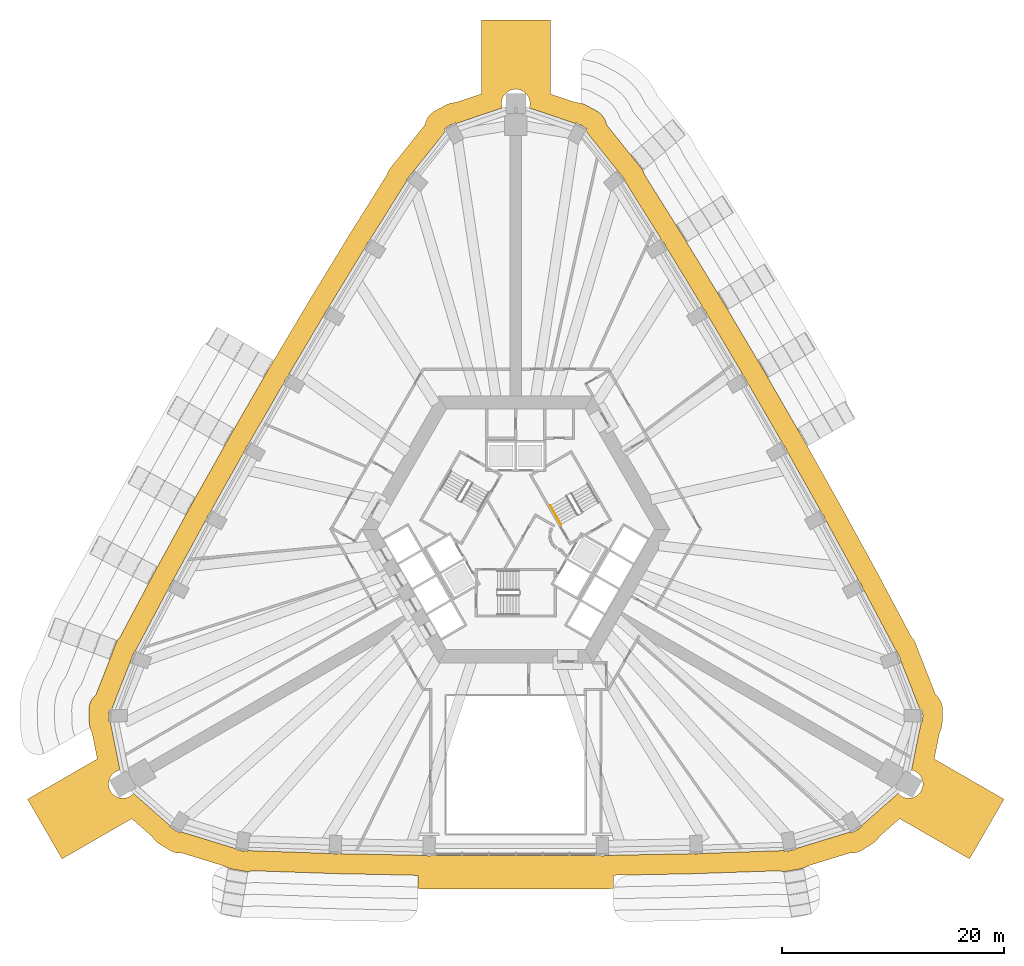
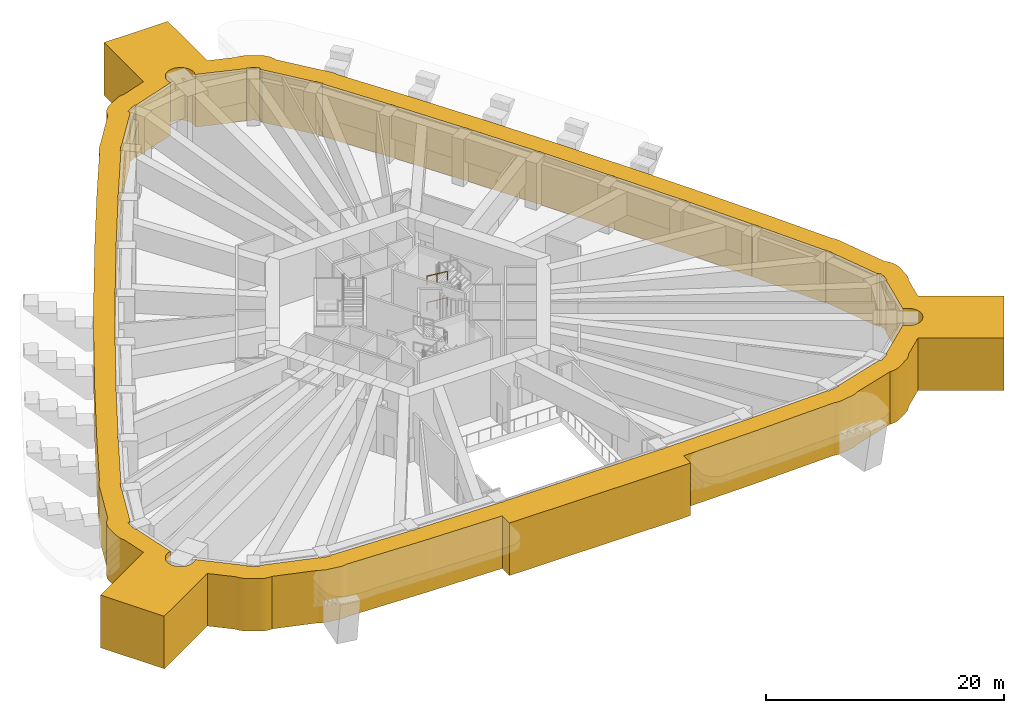
# One storey, part 17 of 20: 2 railings, 1 covering.
"""IFC4 building model written with IfcOpenShell, lengths in metres."""

from ifc_helpers import new_model, si_unit, direction, frame, origin, origin_2d, place, context, subcontext, project, spatial, polyline, circle, outline, extrude, material, type_object, element, save


model = new_model("IFC4")

# Units and contexts
model_context = context("Model", 3, precision=1e-05, world=origin(), true_north=direction((0.0, 1.0)))
body_context = subcontext(model_context, "Body", "Model", "MODEL_VIEW")
ifc_project = project(units=[si_unit("LENGTHUNIT", "METRE"), si_unit("AREAUNIT", "SQUARE_METRE"), si_unit("VOLUMEUNIT", "CUBIC_METRE"), si_unit("PLANEANGLEUNIT", "RADIAN"), si_unit("MASSUNIT", "GRAM", prefix="KILO")], contexts=[model_context])

# Site, building, storey
site_placement = place(None, origin())
site = spatial("IfcSite", under=ifc_project, at=site_placement, CompositionType="ELEMENT")
building_placement = place(site_placement, origin())
building = spatial("IfcBuilding", under=site, at=building_placement, Name="Entoto Arch Interchange Tower", CompositionType="ELEMENT")
storey_placement = place(building_placement, frame((0.0, 0.0, 184.39990234375)))
storey = spatial("IfcBuildingStorey", under=building, at=storey_placement, Name="L41", CompositionType="ELEMENT", Elevation=184.39990234375)

# Covering
ifc_material_1 = material(Name="Board-marked precast concrete C50/60", Category="concrete")
covering_type = type_object("IfcCoveringType", Name="PRECAST FRAME COURSE", PredefinedType="CLADDING", material=ifc_material_1)
covering_placement = place(storey_placement, frame((0.0, 0.0, -0.599853515625)))
element("IfcCovering", 1, at=covering_placement, inside=storey, type_object=covering_type, Name="Zone frame L41", PredefinedType="CLADDING", context=body_context, shape_type="SweptSolid", body=[
    extrude(outline(polyline([(32.669921875, -25.133056640625), (32.662109375, -25.14892578125), (32.56494140625, -25.297119140625), (32.4541015625, -25.43408203125), (32.330078125, -25.56005859375), (32.194091796875, -25.673095703125), (32.048095703125, -25.77197265625), (31.10888671875, -26.344970703125), (30.9541015625, -26.429931640625), (30.791015625, -26.498046875), (30.6220703125, -26.551025390625), (30.448974609375, -26.5869140625), (30.27392578125, -26.60498046875), (30.096923828125, -26.60693359375), (30.010009765625, -26.59912109375), (26.193115234375, -27.77197265625), (26.169921875, -27.7880859375), (26.01611328125, -27.875), (25.85400390625, -27.946044921875), (25.68603515625, -28.0009765625), (25.513916015625, -28.0390625), (24.429931640625, -28.22412109375), (24.25390625, -28.2451171875), (24.077880859375, -28.2490234375), (23.90087890625, -28.235107421875), (23.72802734375, -28.205078125), (23.681884765625, -28.19189453125), (16.8720703125, -28.426025390625), (16.841064453125, -28.428955078125), (16.291015625, -28.446044921875), (15.740966796875, -28.464111328125), (15.718994140625, -28.464111328125), (8.800048828125, -28.597900390625), (8.800048828125, -29.798095703125), (8.493896484375, -29.803955078125), (8.385009765625, -29.81005859375), (7.8349609375, -29.81689453125), (7.284912109375, -29.822998046875), (7.2490234375, -29.822998046875), (-7.118896484375, -29.81689453125), (-7.284912109375, -29.822998046875), (-7.8349609375, -29.81689453125), (-8.385009765625, -29.81005859375), (-8.412109375, -29.81005859375), (-8.800048828125, -29.802001953125), (-8.800048828125, -28.60205078125), (-15.576904296875, -28.4609375), (-15.740966796875, -28.464111328125), (-16.291015625, -28.446044921875), (-16.841064453125, -28.428955078125), (-16.845947265625, -28.427978515625), (-23.68310546875, -28.19189453125), (-23.72802734375, -28.205078125), (-23.90087890625, -28.235107421875), (-24.077880859375, -28.2490234375), (-24.25390625, -28.2451171875), (-24.429931640625, -28.22412109375), (-25.513916015625, -28.0390625), (-25.68603515625, -28.0009765625), (-25.85400390625, -27.946044921875), (-26.01611328125, -27.875), (-26.169921875, -27.7880859375), (-26.193115234375, -27.77197265625), (-30.010009765625, -26.59912109375), (-30.096923828125, -26.60693359375), (-30.27392578125, -26.60498046875), (-30.448974609375, -26.5869140625), (-30.6220703125, -26.551025390625), (-30.791015625, -26.498046875), (-30.9541015625, -26.429931640625), (-31.10888671875, -26.344970703125), (-32.048095703125, -25.77197265625), (-32.194091796875, -25.673095703125), (-32.330078125, -25.56005859375), (-32.4541015625, -25.43408203125), (-32.56494140625, -25.297119140625), (-32.662109375, -25.14892578125), (-32.669921875, -25.133056640625), (-34.51611328125, -23.506103515625), (-40.7900390625, -27.12890625), (-43.889892578125, -21.759033203125), (-37.615966796875, -18.136962890625), (-38.10107421875, -15.72607421875), (-38.110107421875, -15.7109375), (-38.18994140625, -15.553955078125), (-38.2529296875, -15.388916015625), (-38.300048828125, -15.218017578125), (-38.330078125, -15.0439453125), (-38.343017578125, -14.867919921875), (-38.3701171875, -13.76904296875), (-38.364990234375, -13.592041015625), (-38.343994140625, -13.4169921875), (-38.304931640625, -13.243896484375), (-38.2490234375, -13.076904296875), (-38.177978515625, -12.9150390625), (-38.091064453125, -12.761962890625), (-37.989013671875, -12.616943359375), (-37.873046875, -12.48291015625), (-37.7451171875, -12.362060546875), (-37.738037109375, -12.35595703125), (-36.153076171875, -8.31298828125), (-35.968994140625, -7.81298828125), (-35.89990234375, -7.65087890625), (-35.81494140625, -7.49609375), (-35.715087890625, -7.35009765625), (-35.60205078125, -7.215087890625), (-35.570068359375, -7.18310546875), (-32.89892578125, -2.152099609375), (-32.89306640625, -2.138916015625), (-32.376953125, -1.16796875), (-32.365966796875, -1.14892578125), (-29.511962890625, 4.06591796875), (-29.49609375, 4.097900390625), (-28.966064453125, 5.06103515625), (-28.9580078125, 5.075927734375), (-26.054931640625, 10.237060546875), (-26.027099609375, 10.2919921875), (-25.48291015625, 11.248046875), (-25.47705078125, 11.260009765625), (-22.52392578125, 16.367919921875), (-22.48291015625, 16.445068359375), (-21.926025390625, 17.39404296875), (-21.9208984375, 17.403076171875), (-18.923095703125, 22.451904296875), (-18.866943359375, 22.555908203125), (-18.297119140625, 23.4970703125), (-18.2939453125, 23.501953125), (-15.25, 28.492919921875), (-15.177001953125, 28.6240234375), (-14.594970703125, 29.556884765625), (-14.593017578125, 29.55908203125), (-11.56298828125, 34.39697265625), (-11.552001953125, 34.43896484375), (-11.490966796875, 34.60498046875), (-11.4150390625, 34.763916015625), (-11.322998046875, 34.9150390625), (-11.217041015625, 35.055908203125), (-10.876953125, 35.466064453125), (-8.16796875, 38.85888671875), (-8.1669921875, 38.868896484375), (-8.1259765625, 39.0400390625), (-8.068115234375, 39.20703125), (-7.993896484375, 39.366943359375), (-7.904052734375, 39.52001953125), (-7.800048828125, 39.662109375), (-7.68310546875, 39.7939453125), (-7.552978515625, 39.9140625), (-7.412109375, 40.02099609375), (-7.260986328125, 40.113037109375), (-6.294921875, 40.639892578125), (-6.135986328125, 40.716064453125), (-5.970947265625, 40.777099609375), (-5.800048828125, 40.822021484375), (-5.625, 40.84912109375), (-5.448974609375, 40.85888671875), (-5.430908203125, 40.85888671875), (-3.10009765625, 41.64404296875), (-3.10009765625, 48.2890625), (3.10009765625, 48.2890625), (3.10009765625, 41.64404296875), (5.430908203125, 40.85888671875), (5.448974609375, 40.85888671875), (5.625, 40.84912109375), (5.800048828125, 40.822021484375), (5.970947265625, 40.777099609375), (6.135986328125, 40.716064453125), (6.294921875, 40.639892578125), (7.260986328125, 40.113037109375), (7.412109375, 40.02099609375), (7.552978515625, 39.9140625), (7.68310546875, 39.7939453125), (7.800048828125, 39.662109375), (7.904052734375, 39.52001953125), (7.993896484375, 39.366943359375), (8.068115234375, 39.20703125), (8.1259765625, 39.0400390625), (8.1669921875, 38.868896484375), (8.16796875, 38.85888671875), (10.876953125, 35.466064453125), (11.217041015625, 35.055908203125), (11.322998046875, 34.9150390625), (11.4150390625, 34.763916015625), (11.490966796875, 34.60498046875), (11.552001953125, 34.43896484375), (11.56298828125, 34.39599609375), (14.5849609375, 29.571044921875), (14.594970703125, 29.556884765625), (15.177001953125, 28.6240234375), (15.18798828125, 28.60595703125), (18.277099609375, 23.52587890625), (18.297119140625, 23.4970703125), (18.866943359375, 22.555908203125), (18.8759765625, 22.541015625), (21.89306640625, 17.445068359375), (21.926025390625, 17.39404296875), (22.48291015625, 16.445068359375), (22.489990234375, 16.43408203125), (25.43603515625, 11.322021484375), (25.48291015625, 11.248046875), (26.027099609375, 10.2919921875), (26.031982421875, 10.282958984375), (28.905029296875, 5.159912109375), (28.966064453125, 5.06103515625), (29.49609375, 4.097900390625), (29.4990234375, 4.092041015625), (32.299072265625, -1.0390625), (32.376953125, -1.16796875), (32.89306640625, -2.138916015625), (32.89501953125, -2.14111328125), (35.570068359375, -7.18310546875), (35.60205078125, -7.215087890625), (35.715087890625, -7.35009765625), (35.81494140625, -7.49609375), (35.89990234375, -7.65087890625), (35.968994140625, -7.81298828125), (36.153076171875, -8.31298828125), (37.738037109375, -12.35595703125), (37.7451171875, -12.362060546875), (37.873046875, -12.48291015625), (37.989013671875, -12.616943359375), (38.091064453125, -12.761962890625), (38.177978515625, -12.9150390625), (38.2490234375, -13.076904296875), (38.304931640625, -13.243896484375), (38.343994140625, -13.4169921875), (38.364990234375, -13.592041015625), (38.3701171875, -13.76904296875), (38.343017578125, -14.867919921875), (38.330078125, -15.0439453125), (38.300048828125, -15.218017578125), (38.2529296875, -15.388916015625), (38.18994140625, -15.553955078125), (38.110107421875, -15.7109375), (38.10107421875, -15.72607421875), (37.615966796875, -18.136962890625), (43.889892578125, -21.759033203125), (40.7900390625, -27.12890625), (34.51611328125, -23.506103515625), (32.669921875, -25.133056640625)]), holes=[polyline([(36.447021484375, -14.822998046875), (36.5439453125, -14.824951171875), (36.551025390625, -14.527099609375), (36.552001953125, -14.52392578125), (36.573974609375, -14.43505859375), (36.587890625, -14.344970703125), (36.592041015625, -14.2529296875), (36.587890625, -14.160888671875), (36.573974609375, -14.071044921875), (36.56298828125, -14.02587890625), (36.570068359375, -13.72509765625), (36.426025390625, -13.721923828125), (36.3798828125, -13.659912109375), (36.318115234375, -13.592041015625), (36.27294921875, -13.551025390625), (34.55810546875, -9.174072265625), (34.55810546875, -9.173095703125), (34.5439453125, -9.0830078125), (34.52197265625, -8.993896484375), (34.490966796875, -8.906982421875), (34.451904296875, -8.823974609375), (34.404052734375, -8.74609375), (34.384033203125, -8.718017578125), (34.280029296875, -8.43701171875), (34.2109375, -8.462890625), (31.303955078125, -2.985107421875), (31.303955078125, -2.985107421875), (31.1650390625, -2.721923828125), (31.14697265625, -2.65087890625), (31.115966796875, -2.56396484375), (31.076904296875, -2.48095703125), (31.029052734375, -2.403076171875), (30.97509765625, -2.3291015625), (30.927978515625, -2.277099609375), (30.7880859375, -2.012939453125), (30.781982421875, -2.01611328125), (27.91796875, 3.22900390625), (27.9189453125, 3.22998046875), (27.77294921875, 3.4951171875), (27.760009765625, 3.549072265625), (27.72900390625, 3.635986328125), (27.68994140625, 3.718994140625), (27.64208984375, 3.797119140625), (27.587890625, 3.87109375), (27.532958984375, 3.930908203125), (27.388916015625, 4.194091796875), (27.385009765625, 4.19189453125), (24.458984375, 9.40087890625), (24.4619140625, 9.403076171875), (24.31201171875, 9.666015625), (24.302001953125, 9.70703125), (24.27099609375, 9.7939453125), (24.23193359375, 9.876953125), (24.18408203125, 9.955078125), (24.1298828125, 10.029052734375), (24.068115234375, 10.096923828125), (24.06591796875, 10.09912109375), (23.91796875, 10.35888671875), (23.9150390625, 10.35693359375), (20.927001953125, 15.532958984375), (20.929931640625, 15.534912109375), (20.779052734375, 15.7919921875), (20.77099609375, 15.824951171875), (20.739990234375, 15.912109375), (20.700927734375, 15.9951171875), (20.653076171875, 16.072998046875), (20.59912109375, 16.14697265625), (20.537109375, 16.215087890625), (20.52392578125, 16.22705078125), (20.3740234375, 16.48291015625), (20.37109375, 16.48193359375), (17.322998046875, 21.62109375), (17.326904296875, 21.623046875), (17.172119140625, 21.8798828125), (17.1669921875, 21.89892578125), (17.135986328125, 21.986083984375), (17.096923828125, 22.069091796875), (17.049072265625, 22.14697265625), (16.9951171875, 22.220947265625), (16.93310546875, 22.2890625), (16.9130859375, 22.30810546875), (16.757080078125, 22.56494140625), (16.756103515625, 22.56396484375), (13.64501953125, 27.6669921875), (13.64990234375, 27.669921875), (13.492919921875, 27.922119140625), (13.490966796875, 27.930908203125), (13.4599609375, 28.01806640625), (13.4208984375, 28.10107421875), (13.373046875, 28.178955078125), (13.319091796875, 28.2529296875), (13.257080078125, 28.321044921875), (13.22705078125, 28.34912109375), (13.068115234375, 28.60400390625), (13.06689453125, 28.60302734375), (9.77587890625, 33.85888671875), (9.83203125, 33.906005859375), (9.64208984375, 34.135986328125), (9.614013671875, 34.195068359375), (9.56591796875, 34.27294921875), (9.511962890625, 34.346923828125), (9.449951171875, 34.4150390625), (9.382080078125, 34.47705078125), (9.3349609375, 34.511962890625), (6.402099609375, 38.18701171875), (6.402099609375, 38.18798828125), (6.3798828125, 38.277099609375), (6.34912109375, 38.364013671875), (6.3291015625, 38.405029296875), (6.39892578125, 38.532958984375), (6.136962890625, 38.675048828125), (6.077880859375, 38.72900390625), (6.00390625, 38.782958984375), (5.926025390625, 38.8310546875), (5.843017578125, 38.8701171875), (5.756103515625, 38.90087890625), (5.696044921875, 38.916015625), (5.43310546875, 39.05908203125), (5.386962890625, 38.97412109375), (1.2099609375, 40.381103515625), (1.222900390625, 40.41796875), (1.2529296875, 40.5400390625), (1.27197265625, 40.6640625), (1.278076171875, 40.7890625), (1.27197265625, 40.9140625), (1.2529296875, 41.0380859375), (1.222900390625, 41.159912109375), (1.180908203125, 41.278076171875), (1.126953125, 41.39111328125), (1.06201171875, 41.4990234375), (0.988037109375, 41.60009765625), (0.904052734375, 41.693115234375), (0.81103515625, 41.777099609375), (0.7099609375, 41.85107421875), (0.60205078125, 41.916015625), (0.489013671875, 41.969970703125), (0.37109375, 42.011962890625), (0.2490234375, 42.0419921875), (0.125, 42.06103515625), (0.0, 42.06689453125), (-0.125, 42.06103515625), (-0.2490234375, 42.0419921875), (-0.37109375, 42.011962890625), (-0.489013671875, 41.969970703125), (-0.60205078125, 41.916015625), (-0.7099609375, 41.85107421875), (-0.81103515625, 41.777099609375), (-0.904052734375, 41.693115234375), (-0.988037109375, 41.60009765625), (-1.06201171875, 41.4990234375), (-1.126953125, 41.39111328125), (-1.180908203125, 41.278076171875), (-1.222900390625, 41.159912109375), (-1.2529296875, 41.0380859375), (-1.27197265625, 40.9140625), (-1.278076171875, 40.7890625), (-1.27197265625, 40.6640625), (-1.2529296875, 40.5400390625), (-1.222900390625, 40.41796875), (-1.2099609375, 40.381103515625), (-5.386962890625, 38.97412109375), (-5.43310546875, 39.05908203125), (-5.696044921875, 38.916015625), (-5.756103515625, 38.90087890625), (-5.843017578125, 38.8701171875), (-5.926025390625, 38.8310546875), (-6.00390625, 38.782958984375), (-6.077880859375, 38.72900390625), (-6.136962890625, 38.675048828125), (-6.39892578125, 38.532958984375), (-6.3291015625, 38.405029296875), (-6.34912109375, 38.364013671875), (-6.3798828125, 38.277099609375), (-6.402099609375, 38.18798828125), (-6.402099609375, 38.18701171875), (-9.3349609375, 34.511962890625), (-9.382080078125, 34.47705078125), (-9.449951171875, 34.4150390625), (-9.511962890625, 34.346923828125), (-9.56591796875, 34.27294921875), (-9.614013671875, 34.195068359375), (-9.64208984375, 34.135986328125), (-9.83203125, 33.906005859375), (-9.77587890625, 33.85888671875), (-13.06689453125, 28.60302734375), (-13.068115234375, 28.60400390625), (-13.22705078125, 28.34912109375), (-13.257080078125, 28.321044921875), (-13.319091796875, 28.2529296875), (-13.373046875, 28.178955078125), (-13.4208984375, 28.10107421875), (-13.4599609375, 28.01806640625), (-13.490966796875, 27.930908203125), (-13.492919921875, 27.922119140625), (-13.64990234375, 27.669921875), (-13.64501953125, 27.6669921875), (-16.756103515625, 22.56396484375), (-16.757080078125, 22.56494140625), (-16.9130859375, 22.30810546875), (-16.93310546875, 22.2890625), (-16.9951171875, 22.220947265625), (-17.049072265625, 22.14697265625), (-17.096923828125, 22.069091796875), (-17.135986328125, 21.986083984375), (-17.1669921875, 21.89892578125), (-17.172119140625, 21.8798828125), (-17.326904296875, 21.623046875), (-17.322998046875, 21.62109375), (-20.37109375, 16.48193359375), (-20.3740234375, 16.48291015625), (-20.52392578125, 16.22705078125), (-20.537109375, 16.215087890625), (-20.59912109375, 16.14697265625), (-20.653076171875, 16.072998046875), (-20.700927734375, 15.9951171875), (-20.739990234375, 15.912109375), (-20.77099609375, 15.824951171875), (-20.779052734375, 15.7919921875), (-20.929931640625, 15.534912109375), (-20.927001953125, 15.532958984375), (-23.9150390625, 10.35693359375), (-23.91796875, 10.35888671875), (-24.06591796875, 10.09912109375), (-24.068115234375, 10.096923828125), (-24.1298828125, 10.029052734375), (-24.18408203125, 9.955078125), (-24.23193359375, 9.876953125), (-24.27099609375, 9.7939453125), (-24.302001953125, 9.70703125), (-24.31201171875, 9.666015625), (-24.4619140625, 9.403076171875), (-24.458984375, 9.40087890625), (-27.385009765625, 4.19189453125), (-27.388916015625, 4.194091796875), (-27.532958984375, 3.930908203125), (-27.587890625, 3.87109375), (-27.64208984375, 3.797119140625), (-27.68994140625, 3.718994140625), (-27.72900390625, 3.635986328125), (-27.760009765625, 3.549072265625), (-27.77294921875, 3.4951171875), (-27.9189453125, 3.22998046875), (-27.91796875, 3.22900390625), (-30.781982421875, -2.01611328125), (-30.7880859375, -2.012939453125), (-30.927978515625, -2.277099609375), (-30.97509765625, -2.3291015625), (-31.029052734375, -2.403076171875), (-31.076904296875, -2.48095703125), (-31.115966796875, -2.56396484375), (-31.14697265625, -2.65087890625), (-31.1650390625, -2.721923828125), (-31.303955078125, -2.985107421875), (-31.303955078125, -2.985107421875), (-34.2109375, -8.462890625), (-34.280029296875, -8.43701171875), (-34.384033203125, -8.718017578125), (-34.404052734375, -8.74609375), (-34.451904296875, -8.823974609375), (-34.490966796875, -8.906982421875), (-34.52197265625, -8.993896484375), (-34.5439453125, -9.0830078125), (-34.55810546875, -9.173095703125), (-34.55810546875, -9.174072265625), (-36.27294921875, -13.551025390625), (-36.318115234375, -13.592041015625), (-36.3798828125, -13.659912109375), (-36.426025390625, -13.721923828125), (-36.570068359375, -13.72509765625), (-36.56298828125, -14.02587890625), (-36.573974609375, -14.071044921875), (-36.587890625, -14.160888671875), (-36.592041015625, -14.2529296875), (-36.587890625, -14.344970703125), (-36.573974609375, -14.43505859375), (-36.552001953125, -14.52392578125), (-36.551025390625, -14.527099609375), (-36.5439453125, -14.824951171875), (-36.447021484375, -14.822998046875), (-35.576904296875, -19.14111328125), (-35.696044921875, -19.1708984375), (-35.81396484375, -19.212890625), (-35.927001953125, -19.26708984375), (-36.034912109375, -19.33203125), (-36.135986328125, -19.406005859375), (-36.22900390625, -19.489990234375), (-36.31298828125, -19.5830078125), (-36.386962890625, -19.68408203125), (-36.451904296875, -19.7919921875), (-36.506103515625, -19.905029296875), (-36.548095703125, -20.02294921875), (-36.577880859375, -20.14501953125), (-36.596923828125, -20.26904296875), (-36.60302734375, -20.39404296875), (-36.596923828125, -20.51904296875), (-36.577880859375, -20.64306640625), (-36.548095703125, -20.764892578125), (-36.506103515625, -20.883056640625), (-36.451904296875, -20.99609375), (-36.386962890625, -21.10400390625), (-36.31298828125, -21.205078125), (-36.22900390625, -21.298095703125), (-36.135986328125, -21.382080078125), (-36.034912109375, -21.4560546875), (-35.927001953125, -21.52099609375), (-35.81396484375, -21.574951171875), (-35.696044921875, -21.616943359375), (-35.573974609375, -21.64697265625), (-35.449951171875, -21.666015625), (-35.324951171875, -21.672119140625), (-35.199951171875, -21.666015625), (-35.075927734375, -21.64697265625), (-34.9541015625, -21.616943359375), (-34.8359375, -21.574951171875), (-34.722900390625, -21.52099609375), (-34.614990234375, -21.4560546875), (-34.513916015625, -21.382080078125), (-34.4208984375, -21.298095703125), (-34.366943359375, -21.238037109375), (-31.06005859375, -24.153076171875), (-31.111083984375, -24.236083984375), (-30.85400390625, -24.39208984375), (-30.8330078125, -24.4150390625), (-30.764892578125, -24.47705078125), (-30.69091796875, -24.531005859375), (-30.613037109375, -24.5791015625), (-30.530029296875, -24.617919921875), (-30.443115234375, -24.64892578125), (-30.426025390625, -24.653076171875), (-30.1708984375, -24.80810546875), (-30.097900390625, -24.68896484375), (-25.198974609375, -26.194091796875), (-25.2109375, -26.263916015625), (-24.916015625, -26.31494140625), (-24.8759765625, -26.333984375), (-24.7890625, -26.364990234375), (-24.699951171875, -26.386962890625), (-24.610107421875, -26.40087890625), (-24.51806640625, -26.405029296875), (-24.426025390625, -26.40087890625), (-24.419921875, -26.39990234375), (-24.126953125, -26.449951171875), (-24.114013671875, -26.3759765625), (-16.783935546875, -26.6279296875), (-16.783935546875, -26.6298828125), (-16.48388671875, -26.638916015625), (-16.47607421875, -26.64208984375), (-16.386962890625, -26.6640625), (-16.297119140625, -26.677978515625), (-16.205078125, -26.681884765625), (-16.113037109375, -26.677978515625), (-16.02294921875, -26.6640625), (-15.986083984375, -26.655029296875), (-15.68408203125, -26.6640625), (-15.68408203125, -26.657958984375), (-8.35009765625, -26.805908203125), (-8.35009765625, -26.81103515625), (-8.051025390625, -26.81396484375), (-7.970947265625, -26.833984375), (-7.881103515625, -26.847900390625), (-7.7890625, -26.85205078125), (-7.697021484375, -26.847900390625), (-7.60693359375, -26.833984375), (-7.550048828125, -26.820068359375), (-7.25, -26.822998046875), (-7.25, -26.81689453125), (7.25, -26.81689453125), (7.25, -26.822998046875), (7.550048828125, -26.820068359375), (7.60693359375, -26.833984375), (7.697021484375, -26.847900390625), (7.7890625, -26.85205078125), (7.881103515625, -26.847900390625), (7.970947265625, -26.833984375), (8.051025390625, -26.81396484375), (8.35009765625, -26.81103515625), (8.35009765625, -26.805908203125), (15.68408203125, -26.657958984375), (15.68408203125, -26.6640625), (15.986083984375, -26.655029296875), (16.02294921875, -26.6640625), (16.113037109375, -26.677978515625), (16.205078125, -26.681884765625), (16.297119140625, -26.677978515625), (16.386962890625, -26.6640625), (16.47607421875, -26.64208984375), (16.48388671875, -26.638916015625), (16.783935546875, -26.6298828125), (16.783935546875, -26.6279296875), (24.114013671875, -26.3759765625), (24.126953125, -26.449951171875), (24.419921875, -26.39990234375), (24.426025390625, -26.40087890625), (24.51806640625, -26.405029296875), (24.610107421875, -26.40087890625), (24.699951171875, -26.386962890625), (24.7890625, -26.364990234375), (24.8759765625, -26.333984375), (24.916015625, -26.31494140625), (25.2109375, -26.263916015625), (25.198974609375, -26.194091796875), (30.097900390625, -24.68896484375), (30.1708984375, -24.80810546875), (30.426025390625, -24.653076171875), (30.443115234375, -24.64892578125), (30.530029296875, -24.617919921875), (30.613037109375, -24.5791015625), (30.69091796875, -24.531005859375), (30.764892578125, -24.47705078125), (30.8330078125, -24.4150390625), (30.85400390625, -24.39208984375), (31.111083984375, -24.236083984375), (31.06005859375, -24.153076171875), (34.366943359375, -21.238037109375), (34.4208984375, -21.298095703125), (34.513916015625, -21.382080078125), (34.614990234375, -21.4560546875), (34.722900390625, -21.52099609375), (34.8359375, -21.574951171875), (34.9541015625, -21.616943359375), (35.075927734375, -21.64697265625), (35.199951171875, -21.666015625), (35.324951171875, -21.672119140625), (35.449951171875, -21.666015625), (35.573974609375, -21.64697265625), (35.696044921875, -21.616943359375), (35.81396484375, -21.574951171875), (35.927001953125, -21.52099609375), (36.034912109375, -21.4560546875), (36.135986328125, -21.382080078125), (36.22900390625, -21.298095703125), (36.31298828125, -21.205078125), (36.386962890625, -21.10400390625), (36.451904296875, -20.99609375), (36.506103515625, -20.883056640625), (36.548095703125, -20.764892578125), (36.577880859375, -20.64306640625), (36.596923828125, -20.51904296875), (36.60302734375, -20.39404296875), (36.596923828125, -20.26904296875), (36.577880859375, -20.14501953125), (36.548095703125, -20.02294921875), (36.506103515625, -19.905029296875), (36.451904296875, -19.7919921875), (36.386962890625, -19.68408203125), (36.31298828125, -19.5830078125), (36.22900390625, -19.489990234375), (36.135986328125, -19.406005859375), (36.034912109375, -19.33203125), (35.927001953125, -19.26708984375), (35.81396484375, -19.212890625), (35.696044921875, -19.1708984375), (35.576904296875, -19.14111328125), (36.447021484375, -14.822998046875)])]), origin(), (0.0, 0.0, 1.0), 5.39990234375),
])

# Railings
ifc_material_2 = material(Name="Stainless steel 1.4301", Category="steel")
railing_type = type_object("IfcRailingType", Name="STAIR HANDRAIL 900 STEEL", PredefinedType="HANDRAIL", material=ifc_material_2)
for number, where, name in (
    (2, (3.092529296875, 4.6435546875, 1.518798828125), "L41 ST-NE stair handrail 2"),
    (3, (3.092529296875, 4.6435546875, 4.21875), "L41 ST-NE stair handrail 4"),
):
    element("IfcRailing", number, at=place(storey_placement, frame(where)), inside=storey, type_object=railing_type, Name=name, PredefinedType="HANDRAIL", context=body_context, shape_type="SweptSolid", body=[
        extrude(circle(Radius=0.02392578125, at=origin_2d()), frame((0.0, 0.0, 0.8759765625), z_axis=(0.428204578836, -0.741730552229, 0.516213741153), x_axis=(0.866042469362, 0.499970440388, 0.0)), (0.0, 0.0, 1.0), 2.28857421875),
        extrude(circle(Radius=0.02099609375, at=origin_2d()), origin(), (0.0, 0.0, 1.0), 0.851806640625),
        extrude(circle(Radius=0.02099609375, at=origin_2d()), frame((0.489990234375, -0.8486328125, 0.5908203125)), (0.0, 0.0, 1.0), 0.851806640625),
        extrude(circle(Radius=0.02099609375, at=origin_2d()), frame((0.97998046875, -1.697509765625, 1.181396484375)), (0.0, 0.0, 1.0), 0.851806640625),
    ])

save(model, "model.ifc")
